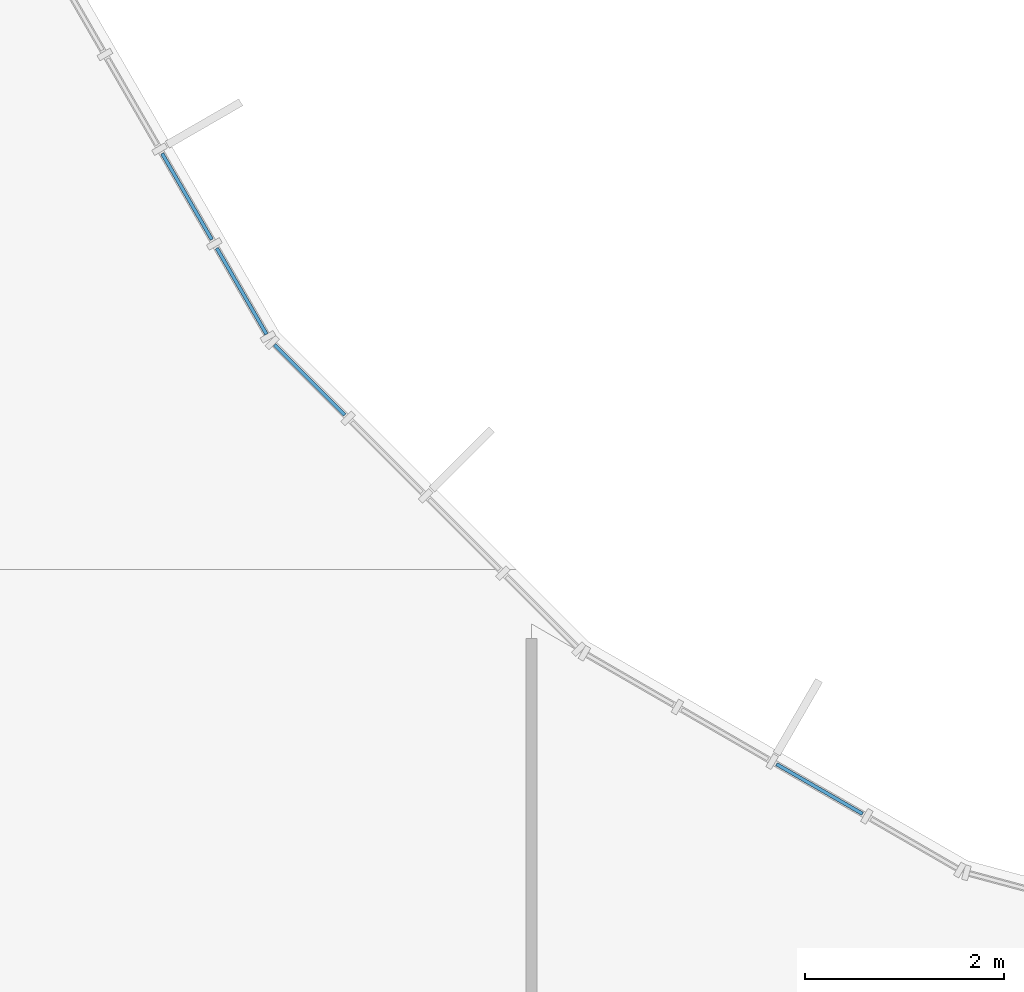
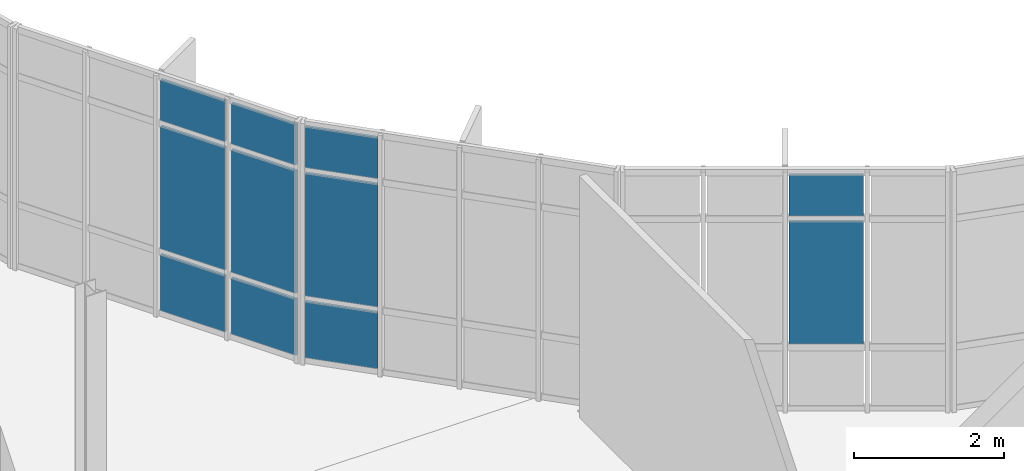
# One storey, part 32 of 61: 11 plates, 3 elements without a shape of their own.
"""IFC4 building model written with IfcOpenShell, lengths in metres."""

from ifc_helpers import new_model, si_unit, direction, frame, origin, origin_2d, place, context, subcontext, project, spatial, rectangle, extrude, material, layer, layer_set, type_object, element, aggregate, save


model = new_model("IFC4")

# Units and contexts
model_context = context("Model", 3, precision=1e-05, world=origin(), true_north=direction((0.0, 1.0)))
body_context = subcontext(model_context, "Body", "Model", "MODEL_VIEW")
ifc_project = project(units=[si_unit("LENGTHUNIT", "METRE"), si_unit("AREAUNIT", "SQUARE_METRE"), si_unit("VOLUMEUNIT", "CUBIC_METRE"), si_unit("PLANEANGLEUNIT", "RADIAN"), si_unit("MASSUNIT", "GRAM", prefix="KILO")], contexts=[model_context])

# Site, building, storey
site_placement = place(None, origin())
site = spatial("IfcSite", under=ifc_project, at=site_placement, CompositionType="ELEMENT")
building_placement = place(site_placement, origin())
building = spatial("IfcBuilding", under=site, at=building_placement, Name="Qelthora Terrace Specialist Clinic", CompositionType="ELEMENT")
storey_placement = place(building_placement, frame((0.0, 0.0, 13.199951171875)))
storey = spatial("IfcBuildingStorey", under=building, at=storey_placement, Name="L03", CompositionType="ELEMENT", Elevation=13.199951171875)

# Curtain wall, plates
ifc_material_1 = material(Name="Aluminium anodized bronze", Category="aluminium")
curtain_wall_type = type_object("IfcCurtainWallType", Name="CW-CRTE-UPP", PredefinedType="NOTDEFINED", material=ifc_material_1)
curtain_wall_1_placement = place(storey_placement, origin())
curtain_wall_1 = element("IfcCurtainWall", 1, at=curtain_wall_1_placement, inside=storey, type_object=curtain_wall_type, Name="Curtain wall CW-CE-L03-14", PredefinedType="NOTDEFINED")
ifc_material_2 = material(Name="Low-E triple-silver insulating glass", Category="glass")
ifc_layer = layer(ifc_material_2, 0.035888671875)
ifc_layer_set = layer_set([ifc_layer], Name="Low-E triple-silver insulating glass")
plate_type = type_object("IfcPlateType", Name="CWP-IGU-36", PredefinedType="CURTAIN_PANEL", material=ifc_layer_set)
plate_1_placement = place(storey_placement, frame((111.745361328125, 54.13720703125, 0.085205078125), z_axis=(0.0, 0.0, 1.0), x_axis=(0.5, -0.866025403784, 0.0)))
plate_1 = element("IfcPlate", 2, at=plate_1_placement, type_object=plate_type, Name="CW-CE-L03-14 glazed panel 7", PredefinedType="CURTAIN_PANEL", context=body_context, shape_type="SweptSolid", body=[
    extrude(rectangle(XDim=0.996337890625, YDim=0.035888671875, at=origin_2d()), origin(), (0.0, 0.0, 1.0), 0.919921875),
])
plate_2_placement = place(storey_placement, frame((111.745361328125, 54.13720703125, 1.09521484375), z_axis=(0.0, 0.0, 1.0), x_axis=(0.5, -0.866025403784, 0.0)))
plate_2 = element("IfcPlate", 3, at=plate_2_placement, type_object=plate_type, Name="CW-CE-L03-14 glazed panel 8", PredefinedType="CURTAIN_PANEL", context=body_context, shape_type="SweptSolid", body=[
    extrude(rectangle(XDim=0.996337890625, YDim=0.035888671875, at=origin_2d()), origin(), (0.0, 0.0, 1.0), 2.0048828125),
])
plate_3_placement = place(storey_placement, frame((111.745361328125, 54.13720703125, 3.190185546875), z_axis=(0.0, 0.0, 1.0), x_axis=(0.5, -0.866025403784, 0.0)))
plate_3 = element("IfcPlate", 4, at=plate_3_placement, type_object=plate_type, Name="CW-CE-L03-14 glazed panel 9", PredefinedType="CURTAIN_PANEL", context=body_context, shape_type="SweptSolid", body=[
    extrude(rectangle(XDim=0.996337890625, YDim=0.035888671875, at=origin_2d()), origin(), (0.0, 0.0, 1.0), 0.669921875),
])
plate_4_placement = place(storey_placement, frame((112.293701171875, 53.1875, 0.085205078125), z_axis=(0.0, 0.0, 1.0), x_axis=(0.5, -0.866025403784, 0.0)))
plate_4 = element("IfcPlate", 5, at=plate_4_placement, type_object=plate_type, Name="CW-CE-L03-14 glazed panel 10", PredefinedType="CURTAIN_PANEL", context=body_context, shape_type="SweptSolid", body=[
    extrude(rectangle(XDim=0.996337890625, YDim=0.035888671875, at=origin_2d()), origin(), (0.0, 0.0, 1.0), 0.919921875),
])
plate_5_placement = place(storey_placement, frame((112.293701171875, 53.1875, 1.09521484375), z_axis=(0.0, 0.0, 1.0), x_axis=(0.5, -0.866025403784, 0.0)))
plate_5 = element("IfcPlate", 6, at=plate_5_placement, type_object=plate_type, Name="CW-CE-L03-14 glazed panel 11", PredefinedType="CURTAIN_PANEL", context=body_context, shape_type="SweptSolid", body=[
    extrude(rectangle(XDim=0.996337890625, YDim=0.035888671875, at=origin_2d()), origin(), (0.0, 0.0, 1.0), 2.0048828125),
])
plate_6_placement = place(storey_placement, frame((112.293701171875, 53.1875, 3.190185546875), z_axis=(0.0, 0.0, 1.0), x_axis=(0.5, -0.866025403784, 0.0)))
plate_6 = element("IfcPlate", 7, at=plate_6_placement, type_object=plate_type, Name="CW-CE-L03-14 glazed panel 12", PredefinedType="CURTAIN_PANEL", context=body_context, shape_type="SweptSolid", body=[
    extrude(rectangle(XDim=0.996337890625, YDim=0.035888671875, at=origin_2d()), origin(), (0.0, 0.0, 1.0), 0.669921875),
])
aggregate(curtain_wall_1, [plate_1, plate_2, plate_3, plate_4, plate_5, plate_6])

curtain_wall_2_placement = place(storey_placement, origin())
curtain_wall_2 = element("IfcCurtainWall", 8, at=curtain_wall_2_placement, inside=storey, type_object=curtain_wall_type, Name="Curtain wall CW-CE-L03-15", PredefinedType="NOTDEFINED")
plate_7_placement = place(storey_placement, frame((112.974365234375, 52.30029296875, 0.085205078125), z_axis=(0.0, 0.0, 1.0), x_axis=(0.707106781187, -0.707106781187, 0.0)))
plate_7 = element("IfcPlate", 9, at=plate_7_placement, type_object=plate_type, Name="CW-CE-L03-15 glazed panel 1", PredefinedType="CURTAIN_PANEL", context=body_context, shape_type="SweptSolid", body=[
    extrude(rectangle(XDim=0.996337890625, YDim=0.035888671875, at=origin_2d()), origin(), (0.0, 0.0, 1.0), 0.919921875),
])
plate_8_placement = place(storey_placement, frame((112.974365234375, 52.30029296875, 1.09521484375), z_axis=(0.0, 0.0, 1.0), x_axis=(0.707106781187, -0.707106781187, 0.0)))
plate_8 = element("IfcPlate", 10, at=plate_8_placement, type_object=plate_type, Name="CW-CE-L03-15 glazed panel 2", PredefinedType="CURTAIN_PANEL", context=body_context, shape_type="SweptSolid", body=[
    extrude(rectangle(XDim=0.996337890625, YDim=0.035888671875, at=origin_2d()), origin(), (0.0, 0.0, 1.0), 2.0048828125),
])
plate_9_placement = place(storey_placement, frame((112.974365234375, 52.30029296875, 3.190185546875), z_axis=(0.0, 0.0, 1.0), x_axis=(0.707106781187, -0.707106781187, 0.0)))
plate_9 = element("IfcPlate", 11, at=plate_9_placement, type_object=plate_type, Name="CW-CE-L03-15 glazed panel 3", PredefinedType="CURTAIN_PANEL", context=body_context, shape_type="SweptSolid", body=[
    extrude(rectangle(XDim=0.996337890625, YDim=0.035888671875, at=origin_2d()), origin(), (0.0, 0.0, 1.0), 0.669921875),
])
aggregate(curtain_wall_2, [plate_7, plate_8, plate_9])

curtain_wall_3_placement = place(storey_placement, origin())
curtain_wall_3 = element("IfcCurtainWall", 12, at=curtain_wall_3_placement, inside=storey, type_object=curtain_wall_type, Name="Curtain wall CW-CE-L03-16", PredefinedType="NOTDEFINED")
plate_10_placement = place(storey_placement, frame((118.086669921875, 48.197265625, 1.09521484375), z_axis=(0.0, 0.0, 1.0), x_axis=(0.866025403784, -0.5, 0.0)))
plate_10 = element("IfcPlate", 13, at=plate_10_placement, type_object=plate_type, Name="CW-CE-L03-16 glazed panel 8", PredefinedType="CURTAIN_PANEL", context=body_context, shape_type="SweptSolid", body=[
    extrude(rectangle(XDim=0.996337890625, YDim=0.035888671875, at=origin_2d()), origin(), (0.0, 0.0, 1.0), 2.0048828125),
])
plate_11_placement = place(storey_placement, frame((118.086669921875, 48.197265625, 3.190185546875), z_axis=(0.0, 0.0, 1.0), x_axis=(0.866025403784, -0.5, 0.0)))
plate_11 = element("IfcPlate", 14, at=plate_11_placement, type_object=plate_type, Name="CW-CE-L03-16 glazed panel 9", PredefinedType="CURTAIN_PANEL", context=body_context, shape_type="SweptSolid", body=[
    extrude(rectangle(XDim=0.996337890625, YDim=0.035888671875, at=origin_2d()), origin(), (0.0, 0.0, 1.0), 0.669921875),
])
aggregate(curtain_wall_3, [plate_10, plate_11])

save(model, "model.ifc")
